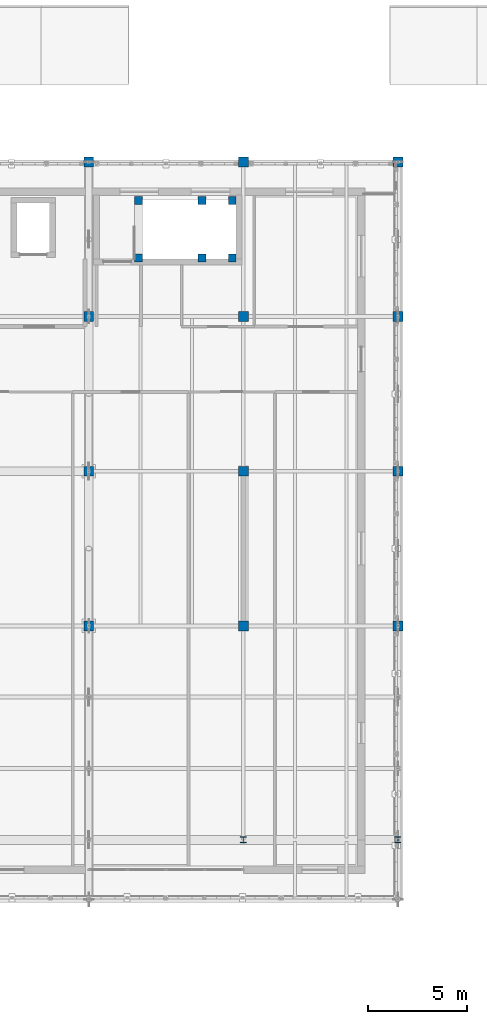
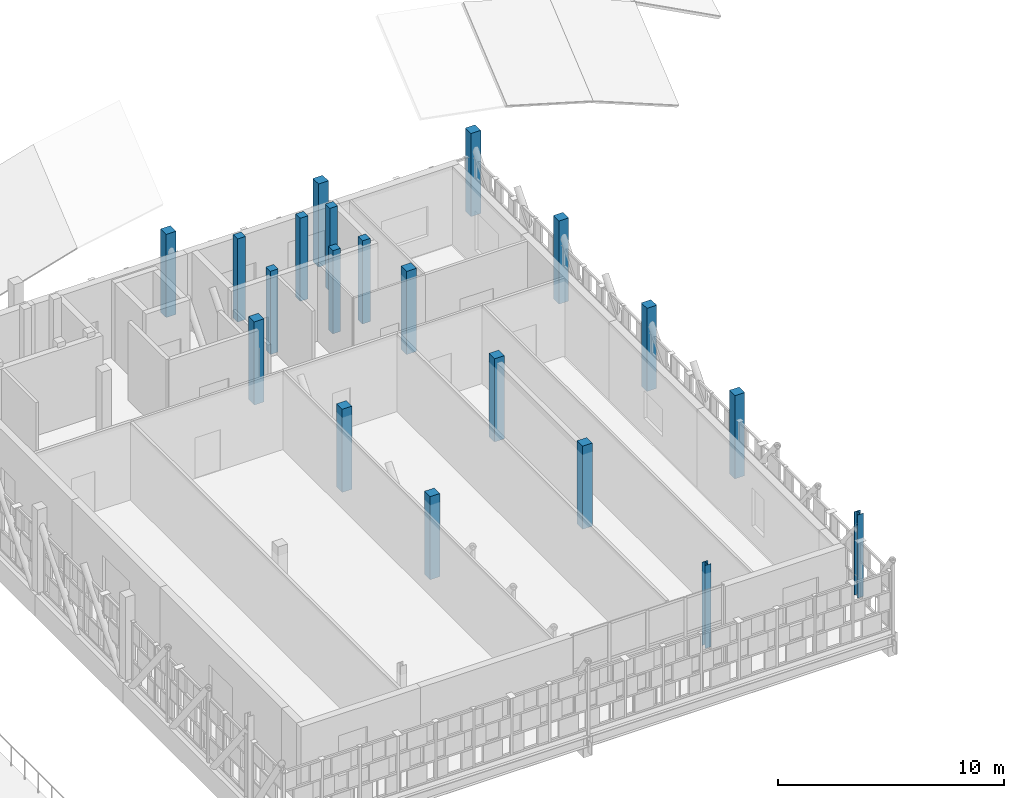
# One storey, part 3 of 89: 20 columns.
"""IFC4 building model written with IfcOpenShell, lengths in metres."""

import ifcopenshell
import ifcopenshell.guid

model = None  # the IFC model being written
_history = None  # IfcOwnerHistory: only IFC2X3 demands one
_inside = {}  # id of a spatial element -> (the spatial element, [elements in it])
_under = {}  # id of a project, library or spatial element -> (it, [spatial elements below it])
_declared = {}  # id of a project -> (the project, [libraries it declares])
_typed = {}  # id of a type object -> (the type object, [elements of that type])
_made_of = {}  # id of a material, layer set ... -> (it, [elements and type objects made of it])


def new_model(schema):
    """Start an empty IFC model of exactly this schema.

    Asked for "IFC4X3", IfcOpenShell would pick the latest addendum, in which some entities
    have other attributes; the version numbers below select the first issue.
    IFC2X3 requires an IfcOwnerHistory on every rooted entity: one is made here for all.
    """
    global model, _history
    if schema == "IFC4X3":
        model = ifcopenshell.file(schema_version=(4, 3, 0, 0))
    else:
        model = ifcopenshell.file(schema=schema)
    _inside.clear()
    _under.clear()
    _declared.clear()
    _typed.clear()
    _made_of.clear()
    _history = None
    if model.schema == "IFC2X3":
        org = make("IfcOrganization", Name="unknown")
        user = make(
            "IfcPersonAndOrganization",
            ThePerson=make("IfcPerson", FamilyName="unknown"),
            TheOrganization=org,
        )
        app = make(
            "IfcApplication",
            ApplicationDeveloper=org,
            Version="unknown",
            ApplicationFullName="unknown",
            ApplicationIdentifier="unknown",
        )
        _history = make(
            "IfcOwnerHistory",
            OwningUser=user,
            OwningApplication=app,
            ChangeAction="ADDED",
            CreationDate=0,
        )
    return model


def make(cls, **values):
    """One entity of the class cls with the attributes given. An attribute that is None is left unset."""
    return model.create_entity(
        cls, **{name: value for name, value in values.items() if value is not None}
    )


def rooted(cls, **values):
    """An entity with a GlobalId (a new one), such as an element, a storey or a relation."""
    return make(cls, GlobalId=ifcopenshell.guid.new(), OwnerHistory=_history, **values)


def si_unit(unit_type, name, prefix=None):
    """IfcSIUnit, for example si_unit("LENGTHUNIT", "METRE", prefix="MILLI")."""
    return make("IfcSIUnit", UnitType=unit_type, Prefix=prefix, Name=name)


def assignment(units):
    """IfcUnitAssignment: the units of a project."""
    return None if units is None else make("IfcUnitAssignment", Units=units)


def point(xyz):
    """IfcCartesianPoint."""
    return None if xyz is None else make("IfcCartesianPoint", Coordinates=xyz)


def direction(xyz):
    """IfcDirection."""
    return None if xyz is None else make("IfcDirection", DirectionRatios=xyz)


def frame(location, z_axis=None, x_axis=None):
    """IfcAxis2Placement3D, a coordinate frame: its origin and axes. An axis left out is left unset."""
    return make(
        "IfcAxis2Placement3D",
        Location=point(location),
        Axis=direction(z_axis),
        RefDirection=direction(x_axis),
    )


def frame_2d(location, x_axis=None):
    """IfcAxis2Placement2D, a coordinate frame in the plane: its origin and x axis."""
    return make(
        "IfcAxis2Placement2D", Location=point(location), RefDirection=direction(x_axis)
    )


def origin():
    """The frame at (0, 0, 0) with its axes left unset."""
    return frame((0.0, 0.0, 0.0))


def origin_2d():
    """The frame at (0, 0) in the plane with its x axis left unset."""
    return frame_2d((0.0, 0.0))


def place(relative_to, where):
    """IfcLocalPlacement: puts the frame where relative to a parent placement (None: the world)."""
    return make(
        "IfcLocalPlacement", PlacementRelTo=relative_to, RelativePlacement=where
    )


def context(
    kind, dimensions, precision=None, world=None, true_north=None, identifier=None
):
    """IfcGeometricRepresentationContext, for example the 3D "Model" context."""
    return make(
        "IfcGeometricRepresentationContext",
        ContextIdentifier=identifier,
        ContextType=kind,
        CoordinateSpaceDimension=dimensions,
        Precision=precision,
        WorldCoordinateSystem=world,
        TrueNorth=true_north,
    )


def subcontext(parent, identifier, kind, view, scale=None):
    """IfcGeometricRepresentationSubContext, for example "Body" below "Model"."""
    return make(
        "IfcGeometricRepresentationSubContext",
        ContextIdentifier=identifier,
        ContextType=kind,
        ParentContext=parent,
        TargetScale=scale,
        TargetView=view,
    )


def project(units=None, contexts=None):
    """IfcProject with its units and contexts."""
    return rooted(
        "IfcProject",
        Name="project",
        RepresentationContexts=contexts,
        UnitsInContext=assignment(units),
    )


def spatial(cls, under=None, at=None, **own):
    """A site, building, storey or space (cls), placed at a placement, below another one or the project."""
    s = rooted(cls, ObjectPlacement=at, **own)
    if under is not None:
        _under.setdefault(under.id(), (under, []))[1].append(s)
    return s


def profile(cls, at=None, kind="AREA", **sizes):
    """A parametric profile (cls). Its sizes go by their IFC names, for example OverallWidth=200.0."""
    return make(cls, ProfileType=kind, Position=at, **sizes)


def rectangle(**sizes):
    """IfcRectangleProfileDef."""
    return profile("IfcRectangleProfileDef", **sizes)


def i_section(**sizes):
    """IfcIShapeProfileDef."""
    return profile("IfcIShapeProfileDef", **sizes)


def extrude(swept, where, along, depth):
    """IfcExtrudedAreaSolid: the profile swept, set in the frame where, extruded along a direction by depth."""
    return make(
        "IfcExtrudedAreaSolid",
        SweptArea=swept,
        Position=where,
        ExtrudedDirection=direction(along),
        Depth=depth,
    )


def shape(context_of_items, identifier, shape_type, items):
    """IfcShapeRepresentation: the items that make up one representation, for example the "Body"."""
    return make(
        "IfcShapeRepresentation",
        ContextOfItems=context_of_items,
        RepresentationIdentifier=identifier,
        RepresentationType=shape_type,
        Items=items,
    )


def material(Name=None, Category=None):
    """IfcMaterial."""
    return make("IfcMaterial", Name=Name, Category=Category)


def material_profile(
    of_material, cross_section, Name=None, Category=None, Priority=None
):
    """IfcMaterialProfile: a cross section and its material."""
    return make(
        "IfcMaterialProfile",
        Name=Name,
        Material=of_material,
        Profile=cross_section,
        Priority=Priority,
        Category=Category,
    )


def profile_set(profiles, Name=None, composite=None):
    """IfcMaterialProfileSet."""
    return make(
        "IfcMaterialProfileSet",
        Name=Name,
        MaterialProfiles=profiles,
        CompositeProfile=composite,
    )


def made_of(thing, what):
    """Note that an element or type object is made of a material, layer set ...; save() writes the relation."""
    if what is not None:
        _made_of.setdefault(what.id(), (what, []))[1].append(thing)
    return thing


def type_object(cls, material=None, **own):
    """A type object (cls), such as IfcWallType, which elements share."""
    return made_of(rooted(cls, **own), material)


def element(
    cls,
    number,
    at=None,
    inside=None,
    cuts=None,
    type_object=None,
    material=None,
    context=None,
    identifier="Body",
    shape_type=None,
    held_by="IfcProductDefinitionShape",
    body=None,
    shapes=None,
    **own,
):
    """One element of the class cls, such as IfcWall. Its Tag is "e" and its number.

    at: its placement. inside: the storey or other place that contains it. cuts: it is an
    opening in that element (IfcRelVoidsElement). A single representation is given by context,
    identifier, shape_type and body (its items); several are given by shapes. held_by: the class
    of the entity that holds the representations. save() writes the other relations.
    """
    e = rooted(cls, Tag="e%d" % number, ObjectPlacement=at, **own)
    if body is not None:
        shapes = [shape(context, identifier, shape_type, body)]
    if shapes is not None:
        e.Representation = make(held_by, Representations=shapes)
    if inside is not None:
        _inside.setdefault(inside.id(), (inside, []))[1].append(e)
    if cuts is not None:
        rooted(
            "IfcRelVoidsElement", RelatingBuildingElement=cuts, RelatedOpeningElement=e
        )
    if type_object is not None:
        _typed.setdefault(type_object.id(), (type_object, []))[1].append(e)
    return made_of(e, material)


def aggregate(whole, parts):
    """IfcRelAggregates: a whole, such as a stair, and the parts it consists of."""
    return rooted("IfcRelAggregates", RelatingObject=whole, RelatedObjects=parts)


def save(model, path):
    """Write the relations noted so far, then the file.

    IfcRelAggregates (storeys below a building ...), IfcRelContainedInSpatialStructure (elements
    in a storey), IfcRelDefinesByType, IfcRelAssociatesMaterial and IfcRelDeclares: one each for
    every whole, place, type object, material and project.
    """
    for whole, parts in _under.values():
        aggregate(whole, parts)
    for where, things in _inside.values():
        rooted(
            "IfcRelContainedInSpatialStructure",
            RelatedElements=things,
            RelatingStructure=where,
        )
    for kind, things in _typed.values():
        rooted("IfcRelDefinesByType", RelatedObjects=things, RelatingType=kind)
    for what, things in _made_of.values():
        rooted("IfcRelAssociatesMaterial", RelatedObjects=things, RelatingMaterial=what)
    for by, libraries in _declared.values():
        rooted("IfcRelDeclares", RelatingContext=by, RelatedDefinitions=libraries)
    model.write(path)


model = new_model("IFC4")

# Units and contexts
model_context = context("Model", 3, precision=1e-05, world=origin(), true_north=direction((0.0, 1.0)))
body_context = subcontext(model_context, "Body", "Model", "MODEL_VIEW")
ifc_project = project(units=[si_unit("LENGTHUNIT", "METRE"), si_unit("AREAUNIT", "SQUARE_METRE"), si_unit("VOLUMEUNIT", "CUBIC_METRE"), si_unit("PLANEANGLEUNIT", "RADIAN"), si_unit("MASSUNIT", "GRAM", prefix="KILO")], contexts=[model_context])

# Site, building, storey
site_placement = place(None, origin())
site = spatial("IfcSite", under=ifc_project, at=site_placement, CompositionType="ELEMENT")
building_placement = place(site_placement, origin())
building = spatial("IfcBuilding", under=site, at=building_placement, Name="Celorna Specialist Clinic", CompositionType="ELEMENT")
storey_placement = place(building_placement, frame((0.0, 0.0, 14.10009765625)))
storey = spatial("IfcBuildingStorey", under=building, at=storey_placement, Name="L03", CompositionType="ELEMENT", Elevation=14.10009765625)

# Columns
ifc_material_1 = material(Name="Concrete C35/45", Category="concrete")
ifc_material_profile_1 = material_profile(ifc_material_1, rectangle(XDim=0.5, YDim=0.5, at=origin_2d()), Name="RC 500x500")
ifc_profile_set_1 = profile_set([ifc_material_profile_1], Name="Concrete C35/45")
column_type_1 = type_object("IfcColumnType", Name="CT-06", PredefinedType="COLUMN", material=ifc_profile_set_1)
for number, where, z_axis, x_axis, name in (
    (1, (70.199951171875, 19.5, 0.0), (0.0, 0.0, 1.0), (1.0, 0.0, 0.0), "Column CT-06 L03 X10/YE"),
    (2, (70.199951171875, 27.300048828125, 0.0), (0.0, 0.0, 1.0), (1.0, 0.0, 0.0), "Column CT-06 L03 X10/YF"),
    (3, (70.199951171875, 35.10009765625, 0.0), (0.0, 0.0, 1.0), (1.0, 0.0, 0.0), "Column CT-06 L03 X10/YG"),
    (4, (70.199951171875, 42.89990234375, 0.0), (0.0, 0.0, 1.0), (1.0, 0.0, 0.0), "Column CT-06 L03 X10/YH"),
    (5, (78.0, 19.5, 0.0), (0.0, 0.0, 1.0), (1.0, 0.0, 0.0), "Column CT-06 L03 X11/YE"),
    (6, (78.0, 27.300048828125, 0.0), (0.0, 0.0, 1.0), (1.0, 0.0, 0.0), "Column CT-06 L03 X11/YF"),
    (7, (78.0, 35.10009765625, 0.0), (0.0, 0.0, 1.0), (1.0, 0.0, 0.0), "Column CT-06 L03 X11/YG"),
    (8, (78.0, 42.89990234375, 0.0), (0.0, 0.0, 1.0), (1.0, 0.0, 0.0), "Column CT-06 L03 X11/YH"),
    (9, (85.800048828125, 19.5, 0.0), (0.0, 0.0, 1.0), (1.0, 0.0, 0.0), "Column CT-06 L03 X12/YE"),
    (10, (85.800048828125, 27.300048828125, 0.0), (0.0, 0.0, 1.0), (1.0, 0.0, 0.0), "Column CT-06 L03 X12/YF"),
    (11, (85.800048828125, 35.10009765625, 0.0), (0.0, 0.0, 1.0), (1.0, 0.0, 0.0), "Column CT-06 L03 X12/YG"),
    (12, (85.800048828125, 42.89990234375, 0.0), (0.0, 0.0, 1.0), (1.0, 0.0, 0.0), "Column CT-06 L03 X12/YH"),
):
    element("IfcColumn", number, at=place(storey_placement, frame(where, z_axis=z_axis, x_axis=x_axis)), inside=storey, type_object=column_type_1, Name=name, PredefinedType="COLUMN", context=body_context, shape_type="SweptSolid", body=[
        extrude(rectangle(XDim=0.5, YDim=0.5, at=origin_2d()), origin(), (0.0, 0.0, 1.0), 4.5),
    ])
ifc_material_profile_2 = material_profile(ifc_material_1, rectangle(XDim=0.39990234375, YDim=0.39990234375, at=origin_2d()), Name="RC 400x400")
ifc_profile_set_2 = profile_set([ifc_material_profile_2], Name="Concrete C35/45")
column_type_2 = type_object("IfcColumnType", Name="CT-08", PredefinedType="COLUMN", material=ifc_profile_set_2)
for number, where, z_axis, x_axis, name in (
    (13, (72.719970703125, 38.070068359375, 0.0), (0.0, 0.0, 1.0), (1.0, 0.0, 0.0), "Stair ST-09 landing column CT-08 L03 X10/YG"),
    (14, (72.719970703125, 40.969970703125, 0.0), (0.0, 0.0, 1.0), (1.0, 0.0, 0.0), "Stair ST-09 landing column CT-08 L03 X10/YH"),
    (15, (75.919921875, 38.070068359375, 0.0), (0.0, 0.0, 1.0), (1.0, 0.0, 0.0), "Stair ST-09 landing column CT-08 L03 X11/YG"),
    (16, (75.919921875, 40.969970703125, 0.0), (0.0, 0.0, 1.0), (1.0, 0.0, 0.0), "Stair ST-09 landing column CT-08 L03 X11/YH"),
    (17, (77.43994140625, 38.070068359375, 0.0), (0.0, 0.0, 1.0), (1.0, 0.0, 0.0), "Stair ST-09 landing column CT-08 L03 X11/YG"),
    (18, (77.43994140625, 40.969970703125, 0.0), (0.0, 0.0, 1.0), (1.0, 0.0, 0.0), "Stair ST-09 landing column CT-08 L03 X11/YH"),
):
    element("IfcColumn", number, at=place(storey_placement, frame(where, z_axis=z_axis, x_axis=x_axis)), inside=storey, type_object=column_type_2, Name=name, PredefinedType="COLUMN", context=body_context, shape_type="SweptSolid", body=[
        extrude(rectangle(XDim=0.39990234375, YDim=0.39990234375, at=origin_2d()), origin(), (0.0, 0.0, 1.0), 4.5),
    ])
ifc_material_2 = material(Name="Steel S355", Category="steel")
ifc_material_profile_3 = material_profile(ifc_material_2, i_section(OverallWidth=0.300048828125, OverallDepth=0.300048828125, WebThickness=0.010986328125, FlangeThickness=0.01904296875, at=origin_2d()), Name="HE 300 B")
ifc_profile_set_3 = profile_set([ifc_material_profile_3], Name="Steel S355")
column_type_3 = type_object("IfcColumnType", Name="CT-14", PredefinedType="COLUMN", material=ifc_profile_set_3)
for number, where, z_axis, x_axis, name in (
    (19, (78.0, 8.699951171875, 0.0), (0.0, 0.0, 1.0), (1.0, 0.0, 0.0), "Column CT-14 L03 X11/YC"),
    (20, (85.800048828125, 8.699951171875, 0.0), (0.0, 0.0, 1.0), (1.0, 0.0, 0.0), "Column CT-14 L03 X12/YC"),
):
    element("IfcColumn", number, at=place(storey_placement, frame(where, z_axis=z_axis, x_axis=x_axis)), inside=storey, type_object=column_type_3, Name=name, PredefinedType="COLUMN", context=body_context, shape_type="SweptSolid", body=[
        extrude(i_section(OverallWidth=0.300048828125, OverallDepth=0.300048828125, WebThickness=0.010986328125, FlangeThickness=0.01904296875, at=origin_2d()), origin(), (0.0, 0.0, 1.0), 4.5),
    ])

save(model, "model.ifc")
